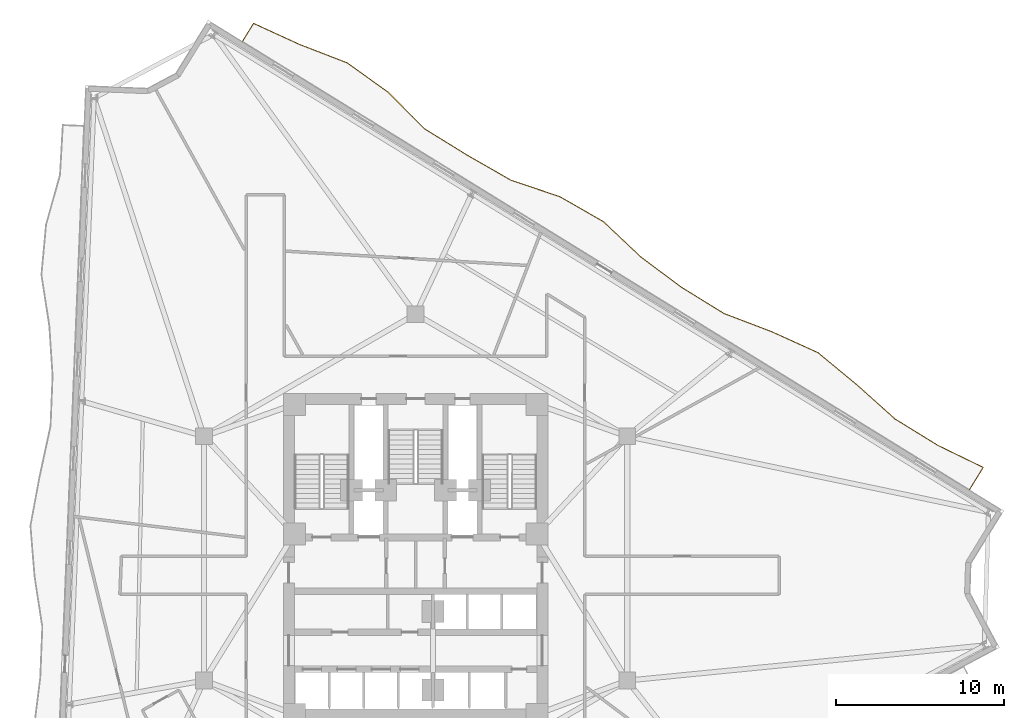
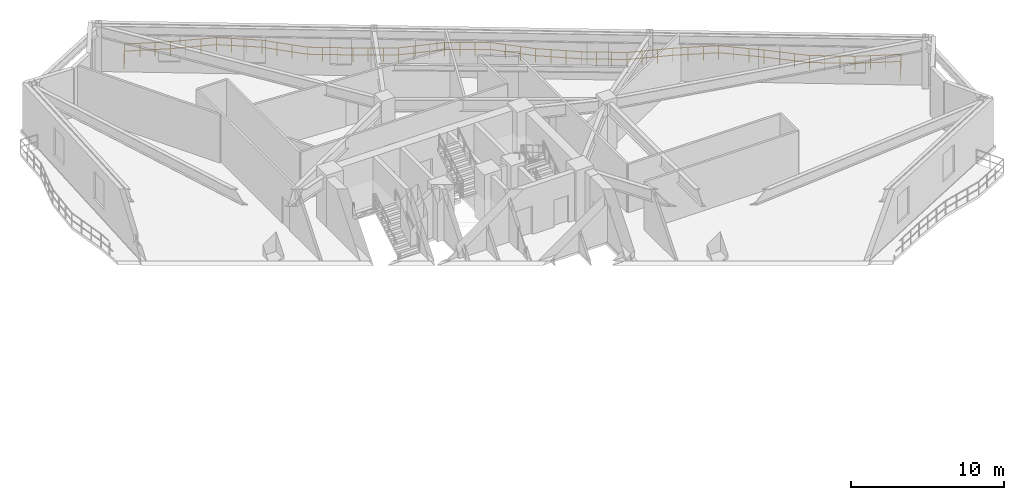
# One storey, part 12 of 12: 1 railing.
"""IFC4 building model written with IfcOpenShell, lengths in metres."""

from ifc_helpers import new_model, si_unit, direction, frame, origin, origin_2d, place, context, subcontext, project, spatial, rectangle, extrude, material, type_object, element, save


model = new_model("IFC4")

# Units and contexts
model_context = context("Model", 3, precision=1e-05, world=origin(), true_north=direction((0.0, 1.0)))
body_context = subcontext(model_context, "Body", "Model", "MODEL_VIEW")
ifc_project = project(units=[si_unit("LENGTHUNIT", "METRE"), si_unit("AREAUNIT", "SQUARE_METRE"), si_unit("VOLUMEUNIT", "CUBIC_METRE"), si_unit("PLANEANGLEUNIT", "RADIAN"), si_unit("MASSUNIT", "GRAM", prefix="KILO")], contexts=[model_context])

# Site, building, storey
site_placement = place(None, origin())
site = spatial("IfcSite", under=ifc_project, at=site_placement, CompositionType="ELEMENT")
building_placement = place(site_placement, origin())
building = spatial("IfcBuilding", under=site, at=building_placement, Name="Apsidion Concourse Tower", CompositionType="ELEMENT")
storey_placement = place(building_placement, frame((0.0, 0.0, 165.5)))
storey = spatial("IfcBuildingStorey", under=building, at=storey_placement, Name="L38", CompositionType="ELEMENT", Elevation=165.5)

# Railing
ifc_material = material(Name="Brushed stainless steel 316", Category="steel")
railing_type = type_object("IfcRailingType", Name="RL-BAL-1120", PredefinedType="BALUSTRADE", material=ifc_material)
railing_placement = place(storey_placement, frame((-10.277587890625, 30.70458984375, 0.0)))
element("IfcRailing", 1, at=railing_placement, inside=storey, type_object=railing_type, Name="L38 Face 3 Rippling Balcony Balustrade", PredefinedType="BALUSTRADE", context=body_context, shape_type="SweptSolid", body=[
    extrude(rectangle(XDim=0.048095703125, YDim=0.048095703125, at=origin_2d()), frame((0.0, 0.0, 1.09619140625), z_axis=(0.524914650279, 0.851154868354, 0.0), x_axis=(-0.851154868354, 0.524914650279, 0.0)), (0.0, 0.0, 1.0), 1.249755859375),
    extrude(rectangle(XDim=0.048095703125, YDim=0.048095703125, at=origin_2d()), frame((0.0, 0.0, 0.5361328125), z_axis=(0.524914650279, 0.851154868354, 0.0), x_axis=(-0.851154868354, 0.524914650279, 0.0)), (0.0, 0.0, 1.0), 1.249755859375),
    extrude(rectangle(XDim=0.048095703125, YDim=0.048095703125, at=origin_2d()), frame((0.656005859375, 1.063720703125, 1.09619140625), z_axis=(0.909236519183, -0.416279896445, 0.0), x_axis=(0.416279896445, 0.909236519183, 0.0)), (0.0, 0.0, 1.0), 3.005615234375),
    extrude(rectangle(XDim=0.048095703125, YDim=0.048095703125, at=origin_2d()), frame((0.656005859375, 1.063720703125, 0.5361328125), z_axis=(0.909236519183, -0.416279896445, 0.0), x_axis=(0.416279896445, 0.909236519183, 0.0)), (0.0, 0.0, 1.0), 3.005615234375),
    extrude(rectangle(XDim=0.048095703125, YDim=0.048095703125, at=origin_2d()), frame((3.388916015625, -0.1875, 1.09619140625), z_axis=(0.932596934347, -0.36091960053, 0.0), x_axis=(0.36091960053, 0.932596934347, 0.0)), (0.0, 0.0, 1.0), 3.033935546875),
    extrude(rectangle(XDim=0.048095703125, YDim=0.048095703125, at=origin_2d()), frame((3.388916015625, -0.1875, 0.5361328125), z_axis=(0.932596934347, -0.36091960053, 0.0), x_axis=(0.36091960053, 0.932596934347, 0.0)), (0.0, 0.0, 1.0), 3.033935546875),
    extrude(rectangle(XDim=0.048095703125, YDim=0.048095703125, at=origin_2d()), frame((6.21826171875, -1.282470703125, 1.09619140625), z_axis=(0.812623148808, -0.582789514337, 0.0), x_axis=(0.582789514337, 0.812623148808, 0.0)), (0.0, 0.0, 1.0), 2.990234375),
    extrude(rectangle(XDim=0.048095703125, YDim=0.048095703125, at=origin_2d()), frame((6.21826171875, -1.282470703125, 0.5361328125), z_axis=(0.812623148808, -0.582789514337, 0.0), x_axis=(0.582789514337, 0.812623148808, 0.0)), (0.0, 0.0, 1.0), 2.990234375),
    extrude(rectangle(XDim=0.048095703125, YDim=0.048095703125, at=origin_2d()), frame((8.648193359375, -3.025146484375, 1.09619140625), z_axis=(0.705513127609, -0.708696851109, 0.0), x_axis=(0.708696851109, 0.705513127609, 0.0)), (0.0, 0.0, 1.0), 3.0673828125),
    extrude(rectangle(XDim=0.048095703125, YDim=0.048095703125, at=origin_2d()), frame((8.648193359375, -3.025146484375, 0.5361328125), z_axis=(0.705513127609, -0.708696851109, 0.0), x_axis=(0.708696851109, 0.705513127609, 0.0)), (0.0, 0.0, 1.0), 3.0673828125),
    extrude(rectangle(XDim=0.048095703125, YDim=0.048095703125, at=origin_2d()), frame((10.812255859375, -5.198974609375, 1.09619140625), z_axis=(0.851123939118, -0.524964799068, 0.0), x_axis=(0.524964799068, 0.851123939118, 0.0)), (0.0, 0.0, 1.0), 2.98291015625),
    extrude(rectangle(XDim=0.048095703125, YDim=0.048095703125, at=origin_2d()), frame((10.812255859375, -5.198974609375, 0.5361328125), z_axis=(0.851123939118, -0.524964799068, 0.0), x_axis=(0.524964799068, 0.851123939118, 0.0)), (0.0, 0.0, 1.0), 2.98291015625),
    extrude(rectangle(XDim=0.048095703125, YDim=0.048095703125, at=origin_2d()), frame((13.35107421875, -6.764892578125, 1.09619140625), z_axis=(0.867648528816, -0.497178067139, 0.0), x_axis=(0.497178067139, 0.867648528816, 0.0)), (0.0, 0.0, 1.0), 2.984619140625),
    extrude(rectangle(XDim=0.048095703125, YDim=0.048095703125, at=origin_2d()), frame((13.35107421875, -6.764892578125, 0.5361328125), z_axis=(0.867648528816, -0.497178067139, 0.0), x_axis=(0.497178067139, 0.867648528816, 0.0)), (0.0, 0.0, 1.0), 2.984619140625),
    extrude(rectangle(XDim=0.048095703125, YDim=0.048095703125, at=origin_2d()), frame((15.940673828125, -8.248779296875, 1.09619140625), z_axis=(0.947875047244, -0.318642267774, 0.0), x_axis=(0.318642267774, 0.947875047244, 0.0)), (0.0, 0.0, 1.0), 3.0625),
    extrude(rectangle(XDim=0.048095703125, YDim=0.048095703125, at=origin_2d()), frame((15.940673828125, -8.248779296875, 0.5361328125), z_axis=(0.947875047244, -0.318642267774, 0.0), x_axis=(0.318642267774, 0.947875047244, 0.0)), (0.0, 0.0, 1.0), 3.0625),
    extrude(rectangle(XDim=0.048095703125, YDim=0.048095703125, at=origin_2d()), frame((18.843505859375, -9.224609375, 1.09619140625), z_axis=(0.867481946715, -0.497468664464, 0.0), x_axis=(0.497468664464, 0.867481946715, 0.0)), (0.0, 0.0, 1.0), 2.984375),
    extrude(rectangle(XDim=0.048095703125, YDim=0.048095703125, at=origin_2d()), frame((18.843505859375, -9.224609375, 0.5361328125), z_axis=(0.867481946715, -0.497468664464, 0.0), x_axis=(0.497468664464, 0.867481946715, 0.0)), (0.0, 0.0, 1.0), 2.984375),
    extrude(rectangle(XDim=0.048095703125, YDim=0.048095703125, at=origin_2d()), frame((21.432373046875, -10.709228515625, 1.09619140625), z_axis=(0.726739748721, -0.686912903962, 0.0), x_axis=(0.686912903962, 0.726739748721, 0.0)), (0.0, 0.0, 1.0), 3.046630859375),
    extrude(rectangle(XDim=0.048095703125, YDim=0.048095703125, at=origin_2d()), frame((21.432373046875, -10.709228515625, 0.5361328125), z_axis=(0.726739748721, -0.686912903962, 0.0), x_axis=(0.686912903962, 0.726739748721, 0.0)), (0.0, 0.0, 1.0), 3.046630859375),
    extrude(rectangle(XDim=0.048095703125, YDim=0.048095703125, at=origin_2d()), frame((23.646484375, -12.802001953125, 1.09619140625), z_axis=(0.801279700992, -0.598289930367, 0.0), x_axis=(0.598289930367, 0.801279700992, 0.0)), (0.0, 0.0, 1.0), 2.994873046875),
    extrude(rectangle(XDim=0.048095703125, YDim=0.048095703125, at=origin_2d()), frame((23.646484375, -12.802001953125, 0.5361328125), z_axis=(0.801279700992, -0.598289930367, 0.0), x_axis=(0.598289930367, 0.801279700992, 0.0)), (0.0, 0.0, 1.0), 2.994873046875),
    extrude(rectangle(XDim=0.048095703125, YDim=0.048095703125, at=origin_2d()), frame((26.046142578125, -14.59375, 1.09619140625), z_axis=(0.851183058053, -0.524868937625, 0.0), x_axis=(0.524868937625, 0.851183058053, 0.0)), (0.0, 0.0, 1.0), 2.98291015625),
    extrude(rectangle(XDim=0.048095703125, YDim=0.048095703125, at=origin_2d()), frame((26.046142578125, -14.59375, 0.5361328125), z_axis=(0.851183058053, -0.524868937625, 0.0), x_axis=(0.524868937625, 0.851183058053, 0.0)), (0.0, 0.0, 1.0), 2.98291015625),
    extrude(rectangle(XDim=0.048095703125, YDim=0.048095703125, at=origin_2d()), frame((28.585205078125, -16.159423828125, 1.09619140625), z_axis=(0.934392178235, -0.356246062791, 0.0), x_axis=(0.356246062791, 0.934392178235, 0.0)), (0.0, 0.0, 1.0), 3.03662109375),
    extrude(rectangle(XDim=0.048095703125, YDim=0.048095703125, at=origin_2d()), frame((28.585205078125, -16.159423828125, 0.5361328125), z_axis=(0.934392178235, -0.356246062791, 0.0), x_axis=(0.356246062791, 0.934392178235, 0.0)), (0.0, 0.0, 1.0), 3.03662109375),
    extrude(rectangle(XDim=0.048095703125, YDim=0.048095703125, at=origin_2d()), frame((31.422607421875, -17.2412109375, 1.09619140625), z_axis=(0.910841323261, -0.412756688427, 0.0), x_axis=(0.412756688427, 0.910841323261, 0.0)), (0.0, 0.0, 1.0), 3.007080078125),
    extrude(rectangle(XDim=0.048095703125, YDim=0.048095703125, at=origin_2d()), frame((31.422607421875, -17.2412109375, 0.5361328125), z_axis=(0.910841323261, -0.412756688427, 0.0), x_axis=(0.412756688427, 0.910841323261, 0.0)), (0.0, 0.0, 1.0), 3.007080078125),
    extrude(rectangle(XDim=0.048095703125, YDim=0.048095703125, at=origin_2d()), frame((34.16162109375, -18.482421875, 1.09619140625), z_axis=(0.771110566187, -0.63670126018, 0.0), x_axis=(0.63670126018, 0.771110566187, 0.0)), (0.0, 0.0, 1.0), 3.011474609375),
    extrude(rectangle(XDim=0.048095703125, YDim=0.048095703125, at=origin_2d()), frame((34.16162109375, -18.482421875, 0.5361328125), z_axis=(0.771110566187, -0.63670126018, 0.0), x_axis=(0.63670126018, 0.771110566187, 0.0)), (0.0, 0.0, 1.0), 3.011474609375),
    extrude(rectangle(XDim=0.048095703125, YDim=0.048095703125, at=origin_2d()), frame((36.48388671875, -20.39990234375, 1.09619140625), z_axis=(0.744790295891, -0.667298595193, 0.0), x_axis=(0.667298595193, 0.744790295891, 0.0)), (0.0, 0.0, 1.0), 3.03076171875),
    extrude(rectangle(XDim=0.048095703125, YDim=0.048095703125, at=origin_2d()), frame((36.48388671875, -20.39990234375, 0.5361328125), z_axis=(0.744790295891, -0.667298595193, 0.0), x_axis=(0.667298595193, 0.744790295891, 0.0)), (0.0, 0.0, 1.0), 3.03076171875),
    extrude(rectangle(XDim=0.048095703125, YDim=0.048095703125, at=origin_2d()), frame((38.7412109375, -22.42236328125, 1.09619140625), z_axis=(0.851183058053, -0.524868937625, 0.0), x_axis=(0.524868937625, 0.851183058053, 0.0)), (0.0, 0.0, 1.0), 2.98291015625),
    extrude(rectangle(XDim=0.048095703125, YDim=0.048095703125, at=origin_2d()), frame((38.7412109375, -22.42236328125, 0.5361328125), z_axis=(0.851183058053, -0.524868937625, 0.0), x_axis=(0.524868937625, 0.851183058053, 0.0)), (0.0, 0.0, 1.0), 2.98291015625),
    extrude(rectangle(XDim=0.048095703125, YDim=0.048095703125, at=origin_2d()), frame((41.2802734375, -23.988037109375, 1.09619140625), z_axis=(0.899402982474, -0.437120435484, 0.0), x_axis=(0.437120435484, 0.899402982474, 0.0)), (0.0, 0.0, 1.0), 2.998046875),
    extrude(rectangle(XDim=0.048095703125, YDim=0.048095703125, at=origin_2d()), frame((41.2802734375, -23.988037109375, 0.5361328125), z_axis=(0.899402982474, -0.437120435484, 0.0), x_axis=(0.437120435484, 0.899402982474, 0.0)), (0.0, 0.0, 1.0), 2.998046875),
    extrude(rectangle(XDim=0.048095703125, YDim=0.048095703125, at=origin_2d()), frame((43.976806640625, -25.298583984375, 1.09619140625), z_axis=(-0.524949559209, -0.851133338723, 0.0), x_axis=(0.851133338723, -0.524949559209, 0.0)), (0.0, 0.0, 1.0), 1.550048828125),
    extrude(rectangle(XDim=0.048095703125, YDim=0.048095703125, at=origin_2d()), frame((43.976806640625, -25.298583984375, 0.5361328125), z_axis=(-0.524949559209, -0.851133338723, 0.0), x_axis=(0.851133338723, -0.524949559209, 0.0)), (0.0, 0.0, 1.0), 1.550048828125),
    extrude(rectangle(XDim=0.0419921875, YDim=0.0419921875, at=origin_2d()), origin(), (0.0, 0.0, 1.0), 1.072021484375),
    extrude(rectangle(XDim=0.0419921875, YDim=0.0419921875, at=origin_2d()), frame((0.328125, 0.53173828125, 0.0)), (0.0, 0.0, 1.0), 1.072021484375),
    extrude(rectangle(XDim=0.0419921875, YDim=0.0419921875, at=origin_2d()), frame((0.656005859375, 1.063720703125, 0.0)), (0.0, 0.0, 1.0), 1.072021484375),
    extrude(rectangle(XDim=0.0419921875, YDim=0.0419921875, at=origin_2d()), frame((1.56689453125, 0.646728515625, 0.0)), (0.0, 0.0, 1.0), 1.072021484375),
    extrude(rectangle(XDim=0.0419921875, YDim=0.0419921875, at=origin_2d()), frame((2.47802734375, 0.2294921875, 0.0)), (0.0, 0.0, 1.0), 1.072021484375),
    extrude(rectangle(XDim=0.0419921875, YDim=0.0419921875, at=origin_2d()), frame((3.388916015625, -0.1875, 0.0)), (0.0, 0.0, 1.0), 1.072021484375),
    extrude(rectangle(XDim=0.0419921875, YDim=0.0419921875, at=origin_2d()), frame((4.33203125, -0.552490234375, 0.0)), (0.0, 0.0, 1.0), 1.072021484375),
    extrude(rectangle(XDim=0.0419921875, YDim=0.0419921875, at=origin_2d()), frame((5.275146484375, -0.91748046875, 0.0)), (0.0, 0.0, 1.0), 1.072021484375),
    extrude(rectangle(XDim=0.0419921875, YDim=0.0419921875, at=origin_2d()), frame((6.21826171875, -1.282470703125, 0.0)), (0.0, 0.0, 1.0), 1.072021484375),
    extrude(rectangle(XDim=0.0419921875, YDim=0.0419921875, at=origin_2d()), frame((7.0283203125, -1.86328125, 0.0)), (0.0, 0.0, 1.0), 1.072021484375),
    extrude(rectangle(XDim=0.0419921875, YDim=0.0419921875, at=origin_2d()), frame((7.838134765625, -2.4443359375, 0.0)), (0.0, 0.0, 1.0), 1.072021484375),
    extrude(rectangle(XDim=0.0419921875, YDim=0.0419921875, at=origin_2d()), frame((8.648193359375, -3.025146484375, 0.0)), (0.0, 0.0, 1.0), 1.072021484375),
    extrude(rectangle(XDim=0.0419921875, YDim=0.0419921875, at=origin_2d()), frame((9.36962890625, -3.749755859375, 0.0)), (0.0, 0.0, 1.0), 1.072021484375),
    extrude(rectangle(XDim=0.0419921875, YDim=0.0419921875, at=origin_2d()), frame((10.0908203125, -4.474365234375, 0.0)), (0.0, 0.0, 1.0), 1.072021484375),
    extrude(rectangle(XDim=0.0419921875, YDim=0.0419921875, at=origin_2d()), frame((10.812255859375, -5.198974609375, 0.0)), (0.0, 0.0, 1.0), 1.072021484375),
    extrude(rectangle(XDim=0.0419921875, YDim=0.0419921875, at=origin_2d()), frame((11.658447265625, -5.720947265625, 0.0)), (0.0, 0.0, 1.0), 1.072021484375),
    extrude(rectangle(XDim=0.0419921875, YDim=0.0419921875, at=origin_2d()), frame((12.5048828125, -6.242919921875, 0.0)), (0.0, 0.0, 1.0), 1.072021484375),
    extrude(rectangle(XDim=0.0419921875, YDim=0.0419921875, at=origin_2d()), frame((13.35107421875, -6.764892578125, 0.0)), (0.0, 0.0, 1.0), 1.072021484375),
    extrude(rectangle(XDim=0.0419921875, YDim=0.0419921875, at=origin_2d()), frame((14.21435546875, -7.259521484375, 0.0)), (0.0, 0.0, 1.0), 1.072021484375),
    extrude(rectangle(XDim=0.0419921875, YDim=0.0419921875, at=origin_2d()), frame((15.077392578125, -7.754150390625, 0.0)), (0.0, 0.0, 1.0), 1.072021484375),
    extrude(rectangle(XDim=0.0419921875, YDim=0.0419921875, at=origin_2d()), frame((15.940673828125, -8.248779296875, 0.0)), (0.0, 0.0, 1.0), 1.072021484375),
    extrude(rectangle(XDim=0.0419921875, YDim=0.0419921875, at=origin_2d()), frame((16.908203125, -8.573974609375, 0.0)), (0.0, 0.0, 1.0), 1.072021484375),
    extrude(rectangle(XDim=0.0419921875, YDim=0.0419921875, at=origin_2d()), frame((17.8759765625, -8.8994140625, 0.0)), (0.0, 0.0, 1.0), 1.072021484375),
    extrude(rectangle(XDim=0.0419921875, YDim=0.0419921875, at=origin_2d()), frame((18.843505859375, -9.224609375, 0.0)), (0.0, 0.0, 1.0), 1.072021484375),
    extrude(rectangle(XDim=0.0419921875, YDim=0.0419921875, at=origin_2d()), frame((19.70654296875, -9.719482421875, 0.0)), (0.0, 0.0, 1.0), 1.072021484375),
    extrude(rectangle(XDim=0.0419921875, YDim=0.0419921875, at=origin_2d()), frame((20.5693359375, -10.21435546875, 0.0)), (0.0, 0.0, 1.0), 1.072021484375),
    extrude(rectangle(XDim=0.0419921875, YDim=0.0419921875, at=origin_2d()), frame((21.432373046875, -10.709228515625, 0.0)), (0.0, 0.0, 1.0), 1.072021484375),
    extrude(rectangle(XDim=0.0419921875, YDim=0.0419921875, at=origin_2d()), frame((22.17041015625, -11.40673828125, 0.0)), (0.0, 0.0, 1.0), 1.072021484375),
    extrude(rectangle(XDim=0.0419921875, YDim=0.0419921875, at=origin_2d()), frame((22.908447265625, -12.1044921875, 0.0)), (0.0, 0.0, 1.0), 1.072021484375),
    extrude(rectangle(XDim=0.0419921875, YDim=0.0419921875, at=origin_2d()), frame((23.646484375, -12.802001953125, 0.0)), (0.0, 0.0, 1.0), 1.072021484375),
    extrude(rectangle(XDim=0.0419921875, YDim=0.0419921875, at=origin_2d()), frame((24.4462890625, -13.399169921875, 0.0)), (0.0, 0.0, 1.0), 1.072021484375),
    extrude(rectangle(XDim=0.0419921875, YDim=0.0419921875, at=origin_2d()), frame((25.246337890625, -13.99658203125, 0.0)), (0.0, 0.0, 1.0), 1.072021484375),
    extrude(rectangle(XDim=0.0419921875, YDim=0.0419921875, at=origin_2d()), frame((26.046142578125, -14.59375, 0.0)), (0.0, 0.0, 1.0), 1.072021484375),
    extrude(rectangle(XDim=0.0419921875, YDim=0.0419921875, at=origin_2d()), frame((26.892578125, -15.11572265625, 0.0)), (0.0, 0.0, 1.0), 1.072021484375),
    extrude(rectangle(XDim=0.0419921875, YDim=0.0419921875, at=origin_2d()), frame((27.73876953125, -15.637451171875, 0.0)), (0.0, 0.0, 1.0), 1.072021484375),
    extrude(rectangle(XDim=0.0419921875, YDim=0.0419921875, at=origin_2d()), frame((28.585205078125, -16.159423828125, 0.0)), (0.0, 0.0, 1.0), 1.072021484375),
    extrude(rectangle(XDim=0.0419921875, YDim=0.0419921875, at=origin_2d()), frame((29.531005859375, -16.52001953125, 0.0)), (0.0, 0.0, 1.0), 1.072021484375),
    extrude(rectangle(XDim=0.0419921875, YDim=0.0419921875, at=origin_2d()), frame((30.476806640625, -16.880615234375, 0.0)), (0.0, 0.0, 1.0), 1.072021484375),
    extrude(rectangle(XDim=0.0419921875, YDim=0.0419921875, at=origin_2d()), frame((31.422607421875, -17.2412109375, 0.0)), (0.0, 0.0, 1.0), 1.072021484375),
    extrude(rectangle(XDim=0.0419921875, YDim=0.0419921875, at=origin_2d()), frame((32.335693359375, -17.655029296875, 0.0)), (0.0, 0.0, 1.0), 1.072021484375),
    extrude(rectangle(XDim=0.0419921875, YDim=0.0419921875, at=origin_2d()), frame((33.24853515625, -18.068603515625, 0.0)), (0.0, 0.0, 1.0), 1.072021484375),
    extrude(rectangle(XDim=0.0419921875, YDim=0.0419921875, at=origin_2d()), frame((34.16162109375, -18.482421875, 0.0)), (0.0, 0.0, 1.0), 1.072021484375),
    extrude(rectangle(XDim=0.0419921875, YDim=0.0419921875, at=origin_2d()), frame((34.935791015625, -19.12158203125, 0.0)), (0.0, 0.0, 1.0), 1.072021484375),
    extrude(rectangle(XDim=0.0419921875, YDim=0.0419921875, at=origin_2d()), frame((35.709716796875, -19.7607421875, 0.0)), (0.0, 0.0, 1.0), 1.072021484375),
    extrude(rectangle(XDim=0.0419921875, YDim=0.0419921875, at=origin_2d()), frame((36.48388671875, -20.39990234375, 0.0)), (0.0, 0.0, 1.0), 1.072021484375),
    extrude(rectangle(XDim=0.0419921875, YDim=0.0419921875, at=origin_2d()), frame((37.236328125, -21.073974609375, 0.0)), (0.0, 0.0, 1.0), 1.072021484375),
    extrude(rectangle(XDim=0.0419921875, YDim=0.0419921875, at=origin_2d()), frame((37.98876953125, -21.748291015625, 0.0)), (0.0, 0.0, 1.0), 1.072021484375),
    extrude(rectangle(XDim=0.0419921875, YDim=0.0419921875, at=origin_2d()), frame((38.7412109375, -22.42236328125, 0.0)), (0.0, 0.0, 1.0), 1.072021484375),
    extrude(rectangle(XDim=0.0419921875, YDim=0.0419921875, at=origin_2d()), frame((39.587646484375, -22.9443359375, 0.0)), (0.0, 0.0, 1.0), 1.072021484375),
    extrude(rectangle(XDim=0.0419921875, YDim=0.0419921875, at=origin_2d()), frame((40.433837890625, -23.466064453125, 0.0)), (0.0, 0.0, 1.0), 1.072021484375),
    extrude(rectangle(XDim=0.0419921875, YDim=0.0419921875, at=origin_2d()), frame((41.2802734375, -23.988037109375, 0.0)), (0.0, 0.0, 1.0), 1.072021484375),
    extrude(rectangle(XDim=0.0419921875, YDim=0.0419921875, at=origin_2d()), frame((42.17919921875, -24.4248046875, 0.0)), (0.0, 0.0, 1.0), 1.072021484375),
    extrude(rectangle(XDim=0.0419921875, YDim=0.0419921875, at=origin_2d()), frame((43.077880859375, -24.86181640625, 0.0)), (0.0, 0.0, 1.0), 1.072021484375),
    extrude(rectangle(XDim=0.0419921875, YDim=0.0419921875, at=origin_2d()), frame((43.976806640625, -25.298583984375, 0.0)), (0.0, 0.0, 1.0), 1.072021484375),
    extrude(rectangle(XDim=0.0419921875, YDim=0.0419921875, at=origin_2d()), frame((43.56982421875, -25.958251953125, 0.0)), (0.0, 0.0, 1.0), 1.072021484375),
    extrude(rectangle(XDim=0.0419921875, YDim=0.0419921875, at=origin_2d()), frame((43.1630859375, -26.617919921875, 0.0)), (0.0, 0.0, 1.0), 1.072021484375),
])

save(model, "model.ifc")
